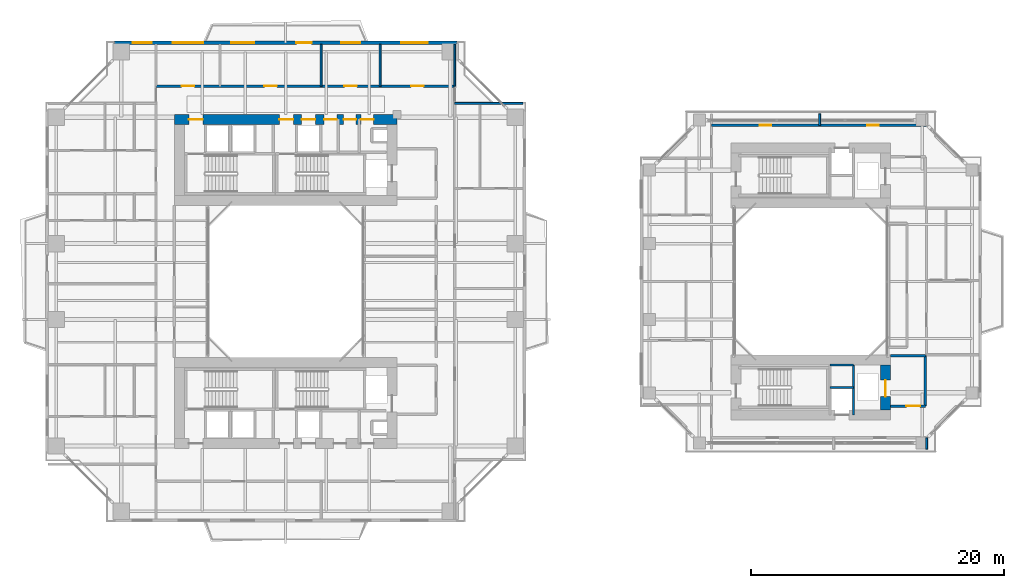
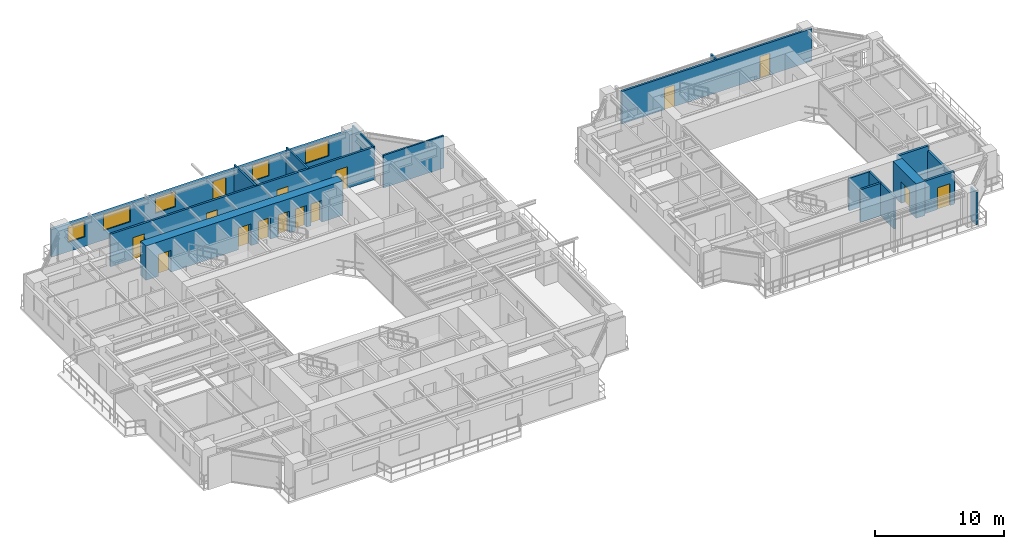
# One storey, part 17 of 23: 17 walls, 15 doors, 5 windows, 20 openings.
"""IFC4 building model written with IfcOpenShell, lengths in metres."""

from ifc_helpers import new_model, si_unit, direction, frame, frame_2d, origin, place, context, subcontext, project, spatial, rectangle, extrude, source, transform, mapped, material, layer, layer_set, type_object, element, fill, save


model = new_model("IFC4")

# Units and contexts
model_context = context("Model", 3, precision=1e-05, world=origin(), true_north=direction((0.0, 1.0)))
body_context = subcontext(model_context, "Body", "Model", "MODEL_VIEW")
ifc_project = project(units=[si_unit("LENGTHUNIT", "METRE"), si_unit("AREAUNIT", "SQUARE_METRE"), si_unit("VOLUMEUNIT", "CUBIC_METRE"), si_unit("PLANEANGLEUNIT", "RADIAN"), si_unit("MASSUNIT", "GRAM", prefix="KILO"), si_unit("THERMODYNAMICTEMPERATUREUNIT", "KELVIN"), si_unit("POWERUNIT", "WATT")], contexts=[model_context])

# Site, building, storey
site_placement = place(None, origin())
site = spatial("IfcSite", under=ifc_project, at=site_placement, CompositionType="ELEMENT")
building_placement = place(site_placement, origin())
building = spatial("IfcBuilding", under=site, at=building_placement, Name="Qiaomeng Ring Towers", CompositionType="ELEMENT")
storey_placement = place(building_placement, frame((0.0, 0.0, 60.0)))
storey = spatial("IfcBuildingStorey", under=building, at=storey_placement, Name="L16", CompositionType="ELEMENT", Elevation=60.0)

# Wall, openings, windows, door
ifc_material_1 = material(Name="Precast concrete C40", Category="concrete")
ifc_layer_1 = layer(ifc_material_1, 0.25, Name="Precast concrete C40")
ifc_layer_set_1 = layer_set([ifc_layer_1], Name="Precast concrete C40")
wall_type_1 = type_object("IfcWallType", Name="ARC-WL-EW1", PredefinedType="STANDARD", material=ifc_layer_set_1)
wall_1_placement = place(storey_placement, frame((5.449951171875, 41.875, 0.0), z_axis=(0.0, 0.0, 1.0), x_axis=(1.0, 0.0, 0.0)))
wall_1 = element("IfcWall", 1, at=wall_1_placement, inside=storey, type_object=wall_type_1, Name="L16 Tower 1 N Exterior Wall", PredefinedType="STANDARD", context=body_context, shape_type="SweptSolid", body=[
    extrude(rectangle(XDim=27.10009765625, YDim=0.25, at=frame_2d((13.550048828125, 0.0))), origin(), (0.0, 0.0, 1.0), 2.610107421875),
])
opening_1_placement = place(wall_1_placement, frame((14.39990234375, 0.0, 0.0)))
opening_1 = element("IfcOpeningElement", 2, at=opening_1_placement, cuts=wall_1, Name="Opening BD1", PredefinedType="OPENING", context=body_context, shape_type="SweptSolid", body=[
    extrude(rectangle(XDim=1.199951171875, YDim=2.10009765625, at=frame_2d((0.60009765625, 1.050048828125))), frame((0.0, 0.135009765625, 0.0), z_axis=(0.0, -1.0, 0.0), x_axis=(1.0, 0.0, 0.0)), (0.0, 0.0, 1.0), 0.27001953125),
])
opening_2_placement = place(wall_1_placement, frame((1.465087890625, 0.0, 0.89990234375)))
opening_2 = element("IfcOpeningElement", 3, at=opening_2_placement, cuts=wall_1, Name="Opening WN2", PredefinedType="OPENING", context=body_context, shape_type="SweptSolid", body=[
    extrude(rectangle(XDim=1.5, YDim=1.5, at=frame_2d((0.75, 0.75))), frame((0.0, 0.135009765625, 0.0), z_axis=(0.0, -1.0, 0.0), x_axis=(1.0, 0.0, 0.0)), (0.0, 0.0, 1.0), 0.27001953125),
])
opening_3_placement = place(wall_1_placement, frame((9.262939453125, 0.0, 0.89990234375)))
opening_3 = element("IfcOpeningElement", 4, at=opening_3_placement, cuts=wall_1, Name="Opening WN1", PredefinedType="OPENING", context=body_context, shape_type="SweptSolid", body=[
    extrude(rectangle(XDim=1.800048828125, YDim=1.449951171875, at=frame_2d((0.89990234375, 0.72509765625))), frame((0.0, 0.135009765625, 0.0), z_axis=(0.0, -1.0, 0.0), x_axis=(1.0, 0.0, 0.0)), (0.0, 0.0, 1.0), 0.27001953125),
])
opening_4_placement = place(wall_1_placement, frame((17.929931640625, 0.0, 0.89990234375)))
opening_4 = element("IfcOpeningElement", 5, at=opening_4_placement, cuts=wall_1, Name="Opening WN2", PredefinedType="OPENING", context=body_context, shape_type="SweptSolid", body=[
    extrude(rectangle(XDim=1.5, YDim=1.5, at=frame_2d((0.75, 0.75))), frame((0.0, 0.135009765625, 0.0), z_axis=(0.0, -1.0, 0.0), x_axis=(1.0, 0.0, 0.0)), (0.0, 0.0, 1.0), 0.27001953125),
])
opening_5_placement = place(wall_1_placement, frame((22.6630859375, 0.0, 0.89990234375)))
opening_5 = element("IfcOpeningElement", 6, at=opening_5_placement, cuts=wall_1, Name="Opening WN4", PredefinedType="OPENING", context=body_context, shape_type="SweptSolid", body=[
    extrude(rectangle(XDim=2.10009765625, YDim=1.47998046875, at=frame_2d((1.050048828125, 0.739990234375))), frame((0.0, 0.135009765625, 0.0), z_axis=(0.0, -1.0, 0.0), x_axis=(1.0, 0.0, 0.0)), (0.0, 0.0, 1.0), 0.27001953125),
])
opening_6_placement = place(wall_1_placement, frame((4.6298828125, 0.0, 0.89990234375)))
opening_6 = element("IfcOpeningElement", 7, at=opening_6_placement, cuts=wall_1, Name="Opening WN6", PredefinedType="OPENING", context=body_context, shape_type="SweptSolid", body=[
    extrude(rectangle(XDim=2.39990234375, YDim=1.5, at=frame_2d((1.199951171875, 0.75))), frame((0.0, 0.135009765625, 0.0), z_axis=(0.0, -1.0, 0.0), x_axis=(1.0, 0.0, 0.0)), (0.0, 0.0, 1.0), 0.27001953125),
])
ifc_material_2 = material(Name="Low-E dark-grey laminated double glazing", Category="glass")
window_type_1 = type_object("IfcWindowType", Name="ARC-WN-4", PartitioningType="TRIPLE_PANEL_VERTICAL", PredefinedType="WINDOW", material=ifc_material_2)
shared_shape_1 = source(origin(), body_context, "Body", "SweptSolid", [
    extrude(rectangle(XDim=2.10009765625, YDim=1.47998046875, at=frame_2d((1.050048828125, 0.739990234375))), frame((0.0, 0.030029296875, 0.0), z_axis=(0.0, -1.0, 0.0), x_axis=(1.0, 0.0, 0.0)), (0.0, 0.0, 1.0), 0.06005859375),
])
window_1_placement = place(opening_5_placement, origin())
window_1 = element("IfcWindow", 8, at=window_1_placement, inside=storey, type_object=window_type_1, Name="L16 Exterior Window WN4", OverallHeight=1.47998046875, OverallWidth=2.10009765625, PartitioningType="TRIPLE_PANEL_VERTICAL", PredefinedType="WINDOW", context=body_context, shape_type="MappedRepresentation", body=[
    mapped(shared_shape_1, transform((0.0, 0.0, 0.0), x_axis=(1.0, 0.0, 0.0), y_axis=(0.0, 1.0, 0.0), z_axis=(0.0, 0.0, 1.0), scale=1.0)),
])
fill(opening_5, window_1)
window_type_2 = type_object("IfcWindowType", Name="ARC-WN-1", PartitioningType="DOUBLE_PANEL_VERTICAL", PredefinedType="WINDOW", material=ifc_material_2)
shared_shape_2 = source(origin(), body_context, "Body", "SweptSolid", [
    extrude(rectangle(XDim=1.800048828125, YDim=1.449951171875, at=frame_2d((0.89990234375, 0.72509765625))), frame((0.0, 0.030029296875, 0.0), z_axis=(0.0, -1.0, 0.0), x_axis=(1.0, 0.0, 0.0)), (0.0, 0.0, 1.0), 0.06005859375),
])
window_2_placement = place(opening_3_placement, origin())
window_2 = element("IfcWindow", 9, at=window_2_placement, inside=storey, type_object=window_type_2, Name="L16 Exterior Window WN1", OverallHeight=1.449951171875, OverallWidth=1.800048828125, PartitioningType="DOUBLE_PANEL_VERTICAL", PredefinedType="WINDOW", context=body_context, shape_type="MappedRepresentation", body=[
    mapped(shared_shape_2, transform((0.0, 0.0, 0.0), x_axis=(1.0, 0.0, 0.0), y_axis=(0.0, 1.0, 0.0), z_axis=(0.0, 0.0, 1.0), scale=1.0)),
])
fill(opening_3, window_2)
door_type_1 = type_object("IfcDoorType", Name="ARC-DR-BD1", OperationType="NOTDEFINED", PredefinedType="DOOR", material=ifc_material_2)
shared_shape_3 = source(origin(), body_context, "Body", "SweptSolid", [
    extrude(rectangle(XDim=1.199951171875, YDim=2.10009765625, at=frame_2d((0.60009765625, 1.050048828125))), frame((0.0, 0.02490234375, 0.0), z_axis=(0.0, -1.0, 0.0), x_axis=(1.0, 0.0, 0.0)), (0.0, 0.0, 1.0), 0.050048828125),
])
door_1_placement = place(opening_1_placement, origin())
door_1 = element("IfcDoor", 10, at=door_1_placement, inside=storey, type_object=door_type_1, Name="L16 N Balcony Glazed Door", OperationType="SINGLE_SWING_LEFT", OverallHeight=2.10009765625, OverallWidth=1.199951171875, PredefinedType="DOOR", context=body_context, shape_type="MappedRepresentation", body=[
    mapped(shared_shape_3, transform((0.0, 0.0, 0.0), x_axis=(1.0, 0.0, 0.0), y_axis=(0.0, 1.0, 0.0), z_axis=(0.0, 0.0, 1.0), scale=1.0)),
])
fill(opening_1, door_1)
window_type_3 = type_object("IfcWindowType", Name="ARC-WN-2", PartitioningType="DOUBLE_PANEL_VERTICAL", PredefinedType="WINDOW", material=ifc_material_2)
shared_shape_4 = source(origin(), body_context, "Body", "SweptSolid", [
    extrude(rectangle(XDim=1.5, YDim=1.5, at=frame_2d((0.75, 0.75))), frame((0.0, 0.030029296875, 0.0), z_axis=(0.0, -1.0, 0.0), x_axis=(1.0, 0.0, 0.0)), (0.0, 0.0, 1.0), 0.06005859375),
])
window_3_placement = place(opening_2_placement, origin())
window_3 = element("IfcWindow", 11, at=window_3_placement, inside=storey, type_object=window_type_3, Name="L16 Exterior Window WN6", OverallHeight=1.5, OverallWidth=1.5, PartitioningType="TRIPLE_PANEL_VERTICAL", PredefinedType="WINDOW", context=body_context, shape_type="MappedRepresentation", body=[
    mapped(shared_shape_4, transform((0.0, 0.0, 0.0), x_axis=(1.0, 0.0, 0.0), y_axis=(0.0, 1.0, 0.0), z_axis=(0.0, 0.0, 1.0), scale=1.0)),
])
fill(opening_2, window_3)
window_4_placement = place(opening_4_placement, origin())
window_4 = element("IfcWindow", 12, at=window_4_placement, inside=storey, type_object=window_type_3, Name="L16 Exterior Window WN2", OverallHeight=1.5, OverallWidth=1.5, PartitioningType="DOUBLE_PANEL_VERTICAL", PredefinedType="WINDOW", context=body_context, shape_type="MappedRepresentation", body=[
    mapped(shared_shape_4, transform((0.0, 0.0, 0.0), x_axis=(1.0, 0.0, 0.0), y_axis=(0.0, 1.0, 0.0), z_axis=(0.0, 0.0, 1.0), scale=1.0)),
])
fill(opening_4, window_4)
window_type_4 = type_object("IfcWindowType", Name="ARC-WN-6", PartitioningType="TRIPLE_PANEL_VERTICAL", PredefinedType="WINDOW", material=ifc_material_2)
shared_shape_5 = source(origin(), body_context, "Body", "SweptSolid", [
    extrude(rectangle(XDim=2.39990234375, YDim=1.5, at=frame_2d((1.199951171875, 0.75))), frame((0.0, 0.030029296875, 0.0), z_axis=(0.0, -1.0, 0.0), x_axis=(1.0, 0.0, 0.0)), (0.0, 0.0, 1.0), 0.06005859375),
])
window_5_placement = place(opening_6_placement, origin())
window_5 = element("IfcWindow", 13, at=window_5_placement, inside=storey, type_object=window_type_4, Name="L16 Exterior Window WN6", OverallHeight=1.5, OverallWidth=2.39990234375, PartitioningType="TRIPLE_PANEL_VERTICAL", PredefinedType="WINDOW", context=body_context, shape_type="MappedRepresentation", body=[
    mapped(shared_shape_5, transform((0.0, 0.0, 0.0), x_axis=(1.0, 0.0, 0.0), y_axis=(0.0, 1.0, 0.0), z_axis=(0.0, 0.0, 1.0), scale=1.0)),
])
fill(opening_6, window_5)

# Walls
ifc_material_3 = material(Name="Autoclaved aerated concrete block", Category="concrete")
ifc_layer_2 = layer(ifc_material_3, 0.199951171875, Name="Autoclaved aerated concrete block")
ifc_layer_set_2 = layer_set([ifc_layer_2], Name="Autoclaved aerated concrete block")
wall_type_2 = type_object("IfcWallType", Name="ARC-WL-PW1", PredefinedType="PARTITIONING", material=ifc_layer_set_2)
wall_2_placement = place(storey_placement, frame((66.800048828125, 17.14990234375, 0.0), z_axis=(0.0, 0.0, 1.0), x_axis=(1.0, 0.0, 0.0)))
element("IfcWall", 14, at=wall_2_placement, inside=storey, type_object=wall_type_2, Name="L16 Interior Wall PW1", PredefinedType="PARTITIONING", context=body_context, shape_type="SweptSolid", body=[
    extrude(rectangle(XDim=2.75, YDim=0.199951171875, at=frame_2d((1.375, 0.0))), origin(), (0.0, 0.0, 1.0), 3.070068359375),
])
wall_3_placement = place(storey_placement, frame((69.550048828125, 13.14990234375, 0.0), z_axis=(0.0, 0.0, 1.0), x_axis=(0.0, 1.0, 0.0)))
element("IfcWall", 15, at=wall_3_placement, inside=storey, type_object=wall_type_2, Name="L16 Interior Wall PW1", PredefinedType="PARTITIONING", context=body_context, shape_type="SweptSolid", body=[
    extrude(rectangle(XDim=4.0, YDim=0.199951171875, at=frame_2d((2.0, 0.0))), origin(), (0.0, 0.0, 1.0), 2.614990234375),
])

# Wall, opening, door
wall_4_placement = place(storey_placement, frame((66.800048828125, 13.14990234375, 0.0), z_axis=(0.0, 0.0, 1.0), x_axis=(1.0, 0.0, 0.0)))
wall_4 = element("IfcWall", 16, at=wall_4_placement, inside=storey, type_object=wall_type_2, Name="L16 Interior Wall PW1", PredefinedType="PARTITIONING", context=body_context, shape_type="SweptSolid", body=[
    extrude(rectangle(XDim=2.75, YDim=0.199951171875, at=frame_2d((1.375, 0.0))), origin(), (0.0, 0.0, 1.0), 3.070068359375),
])
opening_7_placement = place(wall_4_placement, frame((1.25, 0.0, 0.0)))
opening_7 = element("IfcOpeningElement", 17, at=opening_7_placement, cuts=wall_4, Name="Opening FD3", PredefinedType="OPENING", context=body_context, shape_type="SweptSolid", body=[
    extrude(rectangle(XDim=1.10009765625, YDim=2.050048828125, at=frame_2d((0.550048828125, 1.02490234375))), frame((0.0, 0.10986328125, 0.0), z_axis=(0.0, -1.0, 0.0), x_axis=(1.0, 0.0, 0.0)), (0.0, 0.0, 1.0), 0.219970703125),
])
ifc_material_4 = material(Name="Galvanised steel", Category="steel")
door_type_2 = type_object("IfcDoorType", Name="ARC-DR-FD3", OperationType="NOTDEFINED", PredefinedType="DOOR", material=ifc_material_4)
shared_shape_6 = source(origin(), body_context, "Body", "SweptSolid", [
    extrude(rectangle(XDim=1.10009765625, YDim=2.050048828125, at=frame_2d((0.550048828125, 1.02490234375))), frame((0.0, 0.02490234375, 0.0), z_axis=(0.0, -1.0, 0.0), x_axis=(1.0, 0.0, 0.0)), (0.0, 0.0, 1.0), 0.050048828125),
])
door_2_placement = place(opening_7_placement, origin())
door_2 = element("IfcDoor", 18, at=door_2_placement, inside=storey, type_object=door_type_2, Name="L16 Door FD3", OperationType="SINGLE_SWING_LEFT", OverallHeight=2.050048828125, OverallWidth=1.10009765625, PredefinedType="DOOR", context=body_context, shape_type="MappedRepresentation", body=[
    mapped(shared_shape_6, transform((0.0, 0.0, 0.0), x_axis=(1.0, 0.0, 0.0), y_axis=(0.0, 1.0, 0.0), z_axis=(0.0, 0.0, 1.0), scale=1.0)),
])
fill(opening_7, door_2)

# Wall, openings, doors
ifc_layer_3 = layer(ifc_material_3, 0.179931640625, Name="Autoclaved aerated concrete block")
ifc_layer_set_3 = layer_set([ifc_layer_3], Name="Autoclaved aerated concrete block")
wall_type_3 = type_object("IfcWallType", Name="ARC-WL-PW2", PredefinedType="PARTITIONING", material=ifc_layer_set_3)
wall_5_placement = place(storey_placement, frame((8.75, 38.43994140625, 0.0), z_axis=(0.0, 0.0, 1.0), x_axis=(1.0, 0.0, 0.0)))
wall_5 = element("IfcWall", 19, at=wall_5_placement, inside=storey, type_object=wall_type_3, Name="L16 Interior Wall PW2", PredefinedType="PARTITIONING", context=body_context, shape_type="SweptSolid", body=[
    extrude(rectangle(XDim=23.610107421875, YDim=0.179931640625, at=frame_2d((11.80517578125, 0.0))), origin(), (0.0, 0.0, 1.0), 3.070068359375),
])
opening_8_placement = place(wall_5_placement, frame((2.030029296875, 0.0, 0.0)))
opening_8 = element("IfcOpeningElement", 20, at=opening_8_placement, cuts=wall_5, Name="Opening FD4", PredefinedType="OPENING", context=body_context, shape_type="SweptSolid", body=[
    extrude(rectangle(XDim=1.0, YDim=2.050048828125, at=frame_2d((0.5, 1.02490234375))), frame((0.0, 0.099853515625, 0.0), z_axis=(0.0, -1.0, 0.0), x_axis=(1.0, 0.0, 0.0)), (0.0, 0.0, 1.0), 0.199951171875),
])
opening_9_placement = place(wall_5_placement, frame((8.554931640625, 0.0, 0.0)))
opening_9 = element("IfcOpeningElement", 21, at=opening_9_placement, cuts=wall_5, Name="Opening FD4", PredefinedType="OPENING", context=body_context, shape_type="SweptSolid", body=[
    extrude(rectangle(XDim=1.0, YDim=2.050048828125, at=frame_2d((0.5, 1.02490234375))), frame((0.0, 0.099853515625, 0.0), z_axis=(0.0, -1.0, 0.0), x_axis=(1.0, 0.0, 0.0)), (0.0, 0.0, 1.0), 0.199951171875),
])
opening_10_placement = place(wall_5_placement, frame((14.8798828125, 0.0, 0.0)))
opening_10 = element("IfcOpeningElement", 22, at=opening_10_placement, cuts=wall_5, Name="Opening FD4", PredefinedType="OPENING", context=body_context, shape_type="SweptSolid", body=[
    extrude(rectangle(XDim=1.0, YDim=2.050048828125, at=frame_2d((0.5, 1.02490234375))), frame((0.0, 0.099853515625, 0.0), z_axis=(0.0, -1.0, 0.0), x_axis=(1.0, 0.0, 0.0)), (0.0, 0.0, 1.0), 0.199951171875),
])
opening_11_placement = place(wall_5_placement, frame((20.159912109375, 0.0, 0.0)))
opening_11 = element("IfcOpeningElement", 23, at=opening_11_placement, cuts=wall_5, Name="Opening FD4", PredefinedType="OPENING", context=body_context, shape_type="SweptSolid", body=[
    extrude(rectangle(XDim=1.0, YDim=2.050048828125, at=frame_2d((0.5, 1.02490234375))), frame((0.0, 0.099853515625, 0.0), z_axis=(0.0, -1.0, 0.0), x_axis=(1.0, 0.0, 0.0)), (0.0, 0.0, 1.0), 0.199951171875),
])
ifc_material_5 = material(Name="Engineered fire-rated oak timber", Category="wood")
door_type_3 = type_object("IfcDoorType", Name="ARC-DR-FD4", OperationType="NOTDEFINED", PredefinedType="DOOR", material=ifc_material_5)
shared_shape_7 = source(origin(), body_context, "Body", "SweptSolid", [
    extrude(rectangle(XDim=1.0, YDim=2.050048828125, at=frame_2d((0.5, 1.02490234375))), frame((0.0, 0.02490234375, 0.0), z_axis=(0.0, -1.0, 0.0), x_axis=(1.0, 0.0, 0.0)), (0.0, 0.0, 1.0), 0.050048828125),
])
door_3_placement = place(opening_8_placement, origin())
door_3 = element("IfcDoor", 24, at=door_3_placement, inside=storey, type_object=door_type_3, Name="L16 Door FD4", OperationType="SINGLE_SWING_LEFT", OverallHeight=2.050048828125, OverallWidth=1.0, PredefinedType="DOOR", context=body_context, shape_type="MappedRepresentation", body=[
    mapped(shared_shape_7, transform((0.0, 0.0, 0.0), x_axis=(1.0, 0.0, 0.0), y_axis=(0.0, 1.0, 0.0), z_axis=(0.0, 0.0, 1.0), scale=1.0)),
])
fill(opening_8, door_3)
door_4_placement = place(opening_9_placement, origin())
door_4 = element("IfcDoor", 25, at=door_4_placement, inside=storey, type_object=door_type_3, Name="L16 Door FD4", OperationType="SINGLE_SWING_RIGHT", OverallHeight=2.050048828125, OverallWidth=1.0, PredefinedType="DOOR", context=body_context, shape_type="MappedRepresentation", body=[
    mapped(shared_shape_7, transform((0.0, 0.0, 0.0), x_axis=(1.0, 0.0, 0.0), y_axis=(0.0, 1.0, 0.0), z_axis=(0.0, 0.0, 1.0), scale=1.0)),
])
fill(opening_9, door_4)
door_5_placement = place(opening_10_placement, origin())
door_5 = element("IfcDoor", 26, at=door_5_placement, inside=storey, type_object=door_type_3, Name="L16 Door FD4", OperationType="SINGLE_SWING_LEFT", OverallHeight=2.050048828125, OverallWidth=1.0, PredefinedType="DOOR", context=body_context, shape_type="MappedRepresentation", body=[
    mapped(shared_shape_7, transform((0.0, 0.0, 0.0), x_axis=(1.0, 0.0, 0.0), y_axis=(0.0, 1.0, 0.0), z_axis=(0.0, 0.0, 1.0), scale=1.0)),
])
fill(opening_10, door_5)
door_6_placement = place(opening_11_placement, origin())
door_6 = element("IfcDoor", 27, at=door_6_placement, inside=storey, type_object=door_type_3, Name="L16 Door FD4", OperationType="SINGLE_SWING_RIGHT", OverallHeight=2.050048828125, OverallWidth=1.0, PredefinedType="DOOR", context=body_context, shape_type="MappedRepresentation", body=[
    mapped(shared_shape_7, transform((0.0, 0.0, 0.0), x_axis=(1.0, 0.0, 0.0), y_axis=(0.0, 1.0, 0.0), z_axis=(0.0, 0.0, 1.0), scale=1.0)),
])
fill(opening_11, door_6)

wall_6_placement = place(storey_placement, frame((52.64990234375, 35.35009765625, 0.0), z_axis=(0.0, 0.0, 1.0), x_axis=(1.0, 0.0, 0.0)))
wall_6 = element("IfcWall", 28, at=wall_6_placement, inside=storey, type_object=wall_type_3, Name="L16 Interior Wall PW2", PredefinedType="PARTITIONING", context=body_context, shape_type="SweptSolid", body=[
    extrude(rectangle(XDim=17.0, YDim=0.179931640625, at=frame_2d((8.5, 0.0))), origin(), (0.0, 0.0, 1.0), 3.070068359375),
])
opening_12_placement = place(wall_6_placement, frame((3.824951171875, 0.0, 0.0)))
opening_12 = element("IfcOpeningElement", 29, at=opening_12_placement, cuts=wall_6, Name="Opening ID1", PredefinedType="OPENING", context=body_context, shape_type="SweptSolid", body=[
    extrude(rectangle(XDim=0.89990234375, YDim=2.050048828125, at=frame_2d((0.449951171875, 1.02490234375))), frame((0.0, 0.099853515625, 0.0), z_axis=(0.0, -1.0, 0.0), x_axis=(1.0, 0.0, 0.0)), (0.0, 0.0, 1.0), 0.199951171875),
])
opening_13_placement = place(wall_6_placement, frame((12.324951171875, 0.0, 0.0)))
opening_13 = element("IfcOpeningElement", 30, at=opening_13_placement, cuts=wall_6, Name="Opening ID1", PredefinedType="OPENING", context=body_context, shape_type="SweptSolid", body=[
    extrude(rectangle(XDim=0.89990234375, YDim=2.050048828125, at=frame_2d((0.449951171875, 1.02490234375))), frame((0.0, 0.099853515625, 0.0), z_axis=(0.0, -1.0, 0.0), x_axis=(1.0, 0.0, 0.0)), (0.0, 0.0, 1.0), 0.199951171875),
])
ifc_material_6 = material(Name="Engineered oak timber", Category="wood")
door_type_4 = type_object("IfcDoorType", Name="ARC-DR-ID1", OperationType="NOTDEFINED", PredefinedType="DOOR", material=ifc_material_6)
shared_shape_8 = source(origin(), body_context, "Body", "SweptSolid", [
    extrude(rectangle(XDim=0.89990234375, YDim=2.050048828125, at=frame_2d((0.449951171875, 1.02490234375))), frame((0.0, 0.02490234375, 0.0), z_axis=(0.0, -1.0, 0.0), x_axis=(1.0, 0.0, 0.0)), (0.0, 0.0, 1.0), 0.050048828125),
])
door_7_placement = place(opening_12_placement, origin())
door_7 = element("IfcDoor", 31, at=door_7_placement, inside=storey, type_object=door_type_4, Name="L16 Door ID1", OperationType="SINGLE_SWING_LEFT", OverallHeight=2.050048828125, OverallWidth=0.89990234375, PredefinedType="DOOR", context=body_context, shape_type="MappedRepresentation", body=[
    mapped(shared_shape_8, transform((0.0, 0.0, 0.0), x_axis=(1.0, 0.0, 0.0), y_axis=(0.0, 1.0, 0.0), z_axis=(0.0, 0.0, 1.0), scale=1.0)),
])
fill(opening_12, door_7)
door_8_placement = place(opening_13_placement, origin())
door_8 = element("IfcDoor", 32, at=door_8_placement, inside=storey, type_object=door_type_4, Name="L16 Door ID1", OperationType="SINGLE_SWING_RIGHT", OverallHeight=2.050048828125, OverallWidth=0.89990234375, PredefinedType="DOOR", context=body_context, shape_type="MappedRepresentation", body=[
    mapped(shared_shape_8, transform((0.0, 0.0, 0.0), x_axis=(1.0, 0.0, 0.0), y_axis=(0.0, 1.0, 0.0), z_axis=(0.0, 0.0, 1.0), scale=1.0)),
])
fill(opening_13, door_8)

# Walls
ifc_material_7 = material(Name="Gypsum fireboard steel-stud partition", Category="steel")
ifc_layer_4 = layer(ifc_material_7, 0.14990234375, Name="Gypsum fireboard steel-stud partition")
ifc_layer_set_4 = layer_set([ifc_layer_4], Name="Gypsum fireboard steel-stud partition")
wall_type_4 = type_object("IfcWallType", Name="ARC-WL-PW3", PredefinedType="PARTITIONING", material=ifc_layer_set_4)
for number, where, z_axis, x_axis, name in (
    (33, (21.800048828125, 38.43994140625, 0.0), (0.0, 0.0, 1.0), (0.0, 1.0, 0.0), "L16 Interior Wall PW3"),
    (34, (26.4599609375, 38.43994140625, 0.0), (0.0, 0.0, 1.0), (0.0, 1.0, 0.0), "L16 Interior Wall PW3"),
    (35, (32.360107421875, 38.43994140625, 0.0), (0.0, 0.0, 1.0), (0.0, 1.0, 0.0), "L16 Interior Wall PW3"),
):
    element("IfcWall", number, at=place(storey_placement, frame(where, z_axis=z_axis, x_axis=x_axis)), inside=storey, type_object=wall_type_4, Name=name, PredefinedType="PARTITIONING", context=body_context, shape_type="SweptSolid", body=[
        extrude(rectangle(XDim=3.31005859375, YDim=0.14990234375, at=frame_2d((1.655029296875, 0.0))), origin(), (0.0, 0.0, 1.0), 3.070068359375),
    ])
wall_7_placement = place(storey_placement, frame((32.360107421875, 37.080078125, 0.0), z_axis=(0.0, 0.0, 1.0), x_axis=(1.0, 0.0, 0.0)))
element("IfcWall", 36, at=wall_7_placement, inside=storey, type_object=wall_type_4, Name="L16 Interior Wall PW3", PredefinedType="PARTITIONING", context=body_context, shape_type="SweptSolid", body=[
    extrude(rectangle(XDim=5.389892578125, YDim=0.14990234375, at=frame_2d((2.69482421875, 0.0))), origin(), (0.0, 0.0, 1.0), 3.070068359375),
])
for number, where, z_axis, x_axis, name in (
    (37, (61.199951171875, 35.35009765625, 0.0), (0.0, 0.0, 1.0), (0.0, 1.0, 0.0), "L16 Interior Wall PW3"),
    (38, (69.64990234375, 9.75, 0.0), (0.0, 0.0, 1.0), (0.0, 1.0, 0.0), "L16 Interior Wall PW3"),
):
    element("IfcWall", number, at=place(storey_placement, frame(where, z_axis=z_axis, x_axis=x_axis)), inside=storey, type_object=wall_type_4, Name=name, PredefinedType="PARTITIONING", context=body_context, shape_type="SweptSolid", body=[
        extrude(rectangle(XDim=0.89990234375, YDim=0.14990234375, at=frame_2d((0.449951171875, 0.0))), origin(), (0.0, 0.0, 1.0), 3.070068359375),
    ])
ifc_material_8 = material(Name="Concrete C40", Category="concrete")
ifc_layer_5 = layer(ifc_material_8, 0.199951171875, Name="Concrete C40")
ifc_layer_set_5 = layer_set([ifc_layer_5], Name="Concrete C40")
wall_type_5 = type_object("IfcWallType", Name="STR-WL-STSHAFT", PredefinedType="SHEAR", material=ifc_layer_set_5)
wall_8_placement = place(storey_placement, frame((63.8798828125, 12.449951171875, 0.0), z_axis=(0.0, 0.0, 1.0), x_axis=(0.0, 1.0, 0.0)))
element("IfcWall", 39, at=wall_8_placement, inside=storey, type_object=wall_type_5, Name="L16 Companion Lift Shaft East Wall S", PredefinedType="SHEAR", context=body_context, shape_type="SweptSolid", body=[
    extrude(rectangle(XDim=3.949951171875, YDim=0.179931640625, at=frame_2d((1.97509765625, 0.0))), origin(), (0.0, 0.0, 1.0), 3.070068359375),
])
for number, where, z_axis, x_axis, name in (
    (40, (62.02001953125, 14.6201171875, 0.0), (0.0, 0.0, 1.0), (1.0, 0.0, 0.0), "L16 Companion Lift Shaft Divider Wall S"),
    (41, (62.02001953125, 16.39990234375, 0.0), (0.0, 0.0, 1.0), (1.0, 0.0, 0.0), "L16 Companion Riser Shaft Back Wall S"),
):
    element("IfcWall", number, at=place(storey_placement, frame(where, z_axis=z_axis, x_axis=x_axis)), inside=storey, type_object=wall_type_5, Name=name, PredefinedType="SHEAR", context=body_context, shape_type="SweptSolid", body=[
        extrude(rectangle(XDim=1.85986328125, YDim=0.179931640625, at=frame_2d((0.929931640625, 0.0))), origin(), (0.0, 0.0, 1.0), 3.070068359375),
    ])

# Wall, openings, doors
ifc_material_9 = material(Name="Concrete C60", Category="concrete")
ifc_layer_6 = layer(ifc_material_9, 0.800048828125, Name="Concrete C60")
ifc_layer_set_6 = layer_set([ifc_layer_6], Name="Concrete C60")
wall_type_6 = type_object("IfcWallType", Name="STR-WL-SW1", PredefinedType="SHEAR", material=ifc_layer_set_6)
wall_9_placement = place(storey_placement, frame((10.199951171875, 35.800048828125, 0.0), z_axis=(0.0, 0.0, 1.0), x_axis=(1.0, 0.0, 0.0)))
wall_9 = element("IfcWall", 42, at=wall_9_placement, inside=storey, type_object=wall_type_6, Name="L16 T1NC north core shear wall", PredefinedType="SHEAR", context=body_context, shape_type="SweptSolid", body=[
    extrude(rectangle(XDim=17.60009765625, YDim=0.800048828125, at=frame_2d((8.800048828125, 0.0))), origin(), (0.0, 0.0, 1.0), 3.25),
])
opening_14_placement = place(wall_9_placement, frame((1.14990234375, 0.0, 0.0)))
opening_14 = element("IfcOpeningElement", 43, at=opening_14_placement, cuts=wall_9, Name="Opening FD3", PredefinedType="OPENING", context=body_context, shape_type="SweptSolid", body=[
    extrude(rectangle(XDim=1.10009765625, YDim=2.050048828125, at=frame_2d((0.550048828125, 1.02490234375))), frame((0.0, 0.409912109375, 0.0), z_axis=(0.0, -1.0, 0.0), x_axis=(1.0, 0.0, 0.0)), (0.0, 0.0, 1.0), 0.820068359375),
])
opening_15_placement = place(wall_9_placement, frame((8.300048828125, 0.0, 0.0)))
opening_15 = element("IfcOpeningElement", 44, at=opening_15_placement, cuts=wall_9, Name="Opening FD3", PredefinedType="OPENING", context=body_context, shape_type="SweptSolid", body=[
    extrude(rectangle(XDim=1.10009765625, YDim=2.050048828125, at=frame_2d((0.550048828125, 1.02490234375))), frame((0.0, 0.409912109375, 0.0), z_axis=(0.0, -1.0, 0.0), x_axis=(1.0, 0.0, 0.0)), (0.0, 0.0, 1.0), 0.820068359375),
])
opening_16_placement = place(wall_9_placement, frame((10.050048828125, 0.0, 0.0)))
opening_16 = element("IfcOpeningElement", 45, at=opening_16_placement, cuts=wall_9, Name="Opening LD1", PredefinedType="OPENING", context=body_context, shape_type="SweptSolid", body=[
    extrude(rectangle(XDim=1.10009765625, YDim=2.050048828125, at=frame_2d((0.550048828125, 1.02490234375))), frame((0.0, 0.409912109375, 0.0), z_axis=(0.0, -1.0, 0.0), x_axis=(1.0, 0.0, 0.0)), (0.0, 0.0, 1.0), 0.820068359375),
])
opening_17_placement = place(wall_9_placement, frame((14.739990234375, 0.0, 0.0)))
opening_17 = element("IfcOpeningElement", 46, at=opening_17_placement, cuts=wall_9, Name="Opening FD1", PredefinedType="OPENING", context=body_context, shape_type="SweptSolid", body=[
    extrude(rectangle(XDim=1.0, YDim=2.050048828125, at=frame_2d((0.5, 1.02490234375))), frame((0.0, 0.409912109375, 0.0), z_axis=(0.0, -1.0, 0.0), x_axis=(1.0, 0.0, 0.0)), (0.0, 0.0, 1.0), 0.820068359375),
])
opening_18_placement = place(wall_9_placement, frame((11.8349609375, 0.0, 0.0)))
opening_18 = element("IfcOpeningElement", 47, at=opening_18_placement, cuts=wall_9, Name="Opening FD1", PredefinedType="OPENING", context=body_context, shape_type="SweptSolid", body=[
    extrude(rectangle(XDim=1.0, YDim=2.050048828125, at=frame_2d((0.5, 1.02490234375))), frame((0.0, 0.409912109375, 0.0), z_axis=(0.0, -1.0, 0.0), x_axis=(1.0, 0.0, 0.0)), (0.0, 0.0, 1.0), 0.820068359375),
])
opening_19_placement = place(wall_9_placement, frame((13.3701171875, 0.0, 0.0)))
opening_19 = element("IfcOpeningElement", 48, at=opening_19_placement, cuts=wall_9, Name="Opening FD1", PredefinedType="OPENING", context=body_context, shape_type="SweptSolid", body=[
    extrude(rectangle(XDim=1.0, YDim=2.050048828125, at=frame_2d((0.5, 1.02490234375))), frame((0.0, 0.409912109375, 0.0), z_axis=(0.0, -1.0, 0.0), x_axis=(1.0, 0.0, 0.0)), (0.0, 0.0, 1.0), 0.820068359375),
])
door_9_placement = place(opening_14_placement, origin())
door_9 = element("IfcDoor", 49, at=door_9_placement, inside=storey, type_object=door_type_2, Name="L16 Stair ST1 Lobby Door", OperationType="SINGLE_SWING_RIGHT", OverallHeight=2.050048828125, OverallWidth=1.10009765625, PredefinedType="DOOR", context=body_context, shape_type="MappedRepresentation", body=[
    mapped(shared_shape_6, transform((0.0, 0.0, 0.0), x_axis=(1.0, 0.0, 0.0), y_axis=(0.0, 1.0, 0.0), z_axis=(0.0, 0.0, 1.0), scale=1.0)),
])
fill(opening_14, door_9)
door_10_placement = place(opening_15_placement, origin())
door_10 = element("IfcDoor", 50, at=door_10_placement, inside=storey, type_object=door_type_2, Name="L16 Stair ST2 Lobby Door", OperationType="SINGLE_SWING_RIGHT", OverallHeight=2.050048828125, OverallWidth=1.10009765625, PredefinedType="DOOR", context=body_context, shape_type="MappedRepresentation", body=[
    mapped(shared_shape_6, transform((0.0, 0.0, 0.0), x_axis=(1.0, 0.0, 0.0), y_axis=(0.0, 1.0, 0.0), z_axis=(0.0, 0.0, 1.0), scale=1.0)),
])
fill(opening_15, door_10)
ifc_material_10 = material(Name="Stainless steel 316", Category="steel")
door_type_5 = type_object("IfcDoorType", Name="ARC-DR-LD1", OperationType="NOTDEFINED", PredefinedType="DOOR", material=ifc_material_10)
door_11_placement = place(opening_16_placement, origin())
door_11 = element("IfcDoor", 51, at=door_11_placement, inside=storey, type_object=door_type_5, Name="L16 Low-Zone Lift LP1 Landing Door", OperationType="SLIDING_TO_LEFT", OverallHeight=2.050048828125, OverallWidth=1.10009765625, PredefinedType="DOOR", context=body_context, shape_type="MappedRepresentation", body=[
    mapped(shared_shape_6, transform((0.0, 0.0, 0.0), x_axis=(1.0, 0.0, 0.0), y_axis=(0.0, 1.0, 0.0), z_axis=(0.0, 0.0, 1.0), scale=1.0)),
])
fill(opening_16, door_11)
door_type_6 = type_object("IfcDoorType", Name="ARC-DR-FD1", OperationType="NOTDEFINED", PredefinedType="DOOR", material=ifc_material_4)
door_12_placement = place(opening_17_placement, origin())
door_12 = element("IfcDoor", 52, at=door_12_placement, inside=storey, type_object=door_type_6, Name="L16 North Electrical Riser Door", OperationType="SINGLE_SWING_RIGHT", OverallHeight=2.050048828125, OverallWidth=1.0, PredefinedType="DOOR", context=body_context, shape_type="MappedRepresentation", body=[
    mapped(shared_shape_7, transform((0.0, 0.0, 0.0), x_axis=(1.0, 0.0, 0.0), y_axis=(0.0, 1.0, 0.0), z_axis=(0.0, 0.0, 1.0), scale=1.0)),
])
fill(opening_17, door_12)
door_13_placement = place(opening_18_placement, origin())
door_13 = element("IfcDoor", 53, at=door_13_placement, inside=storey, type_object=door_type_6, Name="L16 North Cleaners Store Door", OperationType="SINGLE_SWING_RIGHT", OverallHeight=2.050048828125, OverallWidth=1.0, PredefinedType="DOOR", context=body_context, shape_type="MappedRepresentation", body=[
    mapped(shared_shape_7, transform((0.0, 0.0, 0.0), x_axis=(1.0, 0.0, 0.0), y_axis=(0.0, 1.0, 0.0), z_axis=(0.0, 0.0, 1.0), scale=1.0)),
])
fill(opening_18, door_13)
door_14_placement = place(opening_19_placement, origin())
door_14 = element("IfcDoor", 54, at=door_14_placement, inside=storey, type_object=door_type_6, Name="L16 North Beverage Pantry Door", OperationType="SINGLE_SWING_LEFT", OverallHeight=2.050048828125, OverallWidth=1.0, PredefinedType="DOOR", context=body_context, shape_type="MappedRepresentation", body=[
    mapped(shared_shape_7, transform((0.0, 0.0, 0.0), x_axis=(1.0, 0.0, 0.0), y_axis=(0.0, 1.0, 0.0), z_axis=(0.0, 0.0, 1.0), scale=1.0)),
])
fill(opening_19, door_14)

# Wall, opening, door
wall_10_placement = place(storey_placement, frame((66.39990234375, 12.85009765625, 0.0), z_axis=(0.0, 0.0, 1.0), x_axis=(0.0, 1.0, 0.0)))
wall_10 = element("IfcWall", 55, at=wall_10_placement, inside=storey, type_object=wall_type_6, Name="L16 T2SC east core shear wall", PredefinedType="SHEAR", context=body_context, shape_type="SweptSolid", body=[
    extrude(rectangle(XDim=3.5498046875, YDim=0.800048828125, at=frame_2d((1.77490234375, 0.0))), origin(), (0.0, 0.0, 1.0), 3.25),
])
opening_20_placement = place(wall_10_placement, frame((1.050048828125, 0.0, 0.0)))
opening_20 = element("IfcOpeningElement", 56, at=opening_20_placement, cuts=wall_10, Name="Opening LD2", PredefinedType="OPENING", context=body_context, shape_type="SweptSolid", body=[
    extrude(rectangle(XDim=1.300048828125, YDim=2.050048828125, at=frame_2d((0.64990234375, 1.02490234375))), frame((0.0, 0.409912109375, 0.0), z_axis=(0.0, -1.0, 0.0), x_axis=(1.0, 0.0, 0.0)), (0.0, 0.0, 1.0), 0.820068359375),
])
door_type_7 = type_object("IfcDoorType", Name="ARC-DR-LD2", OperationType="NOTDEFINED", PredefinedType="DOOR", material=ifc_material_10)
shared_shape_9 = source(origin(), body_context, "Body", "SweptSolid", [
    extrude(rectangle(XDim=1.300048828125, YDim=2.050048828125, at=frame_2d((0.64990234375, 1.02490234375))), frame((0.0, 0.02490234375, 0.0), z_axis=(0.0, -1.0, 0.0), x_axis=(1.0, 0.0, 0.0)), (0.0, 0.0, 1.0), 0.050048828125),
])
door_15_placement = place(opening_20_placement, origin())
door_15 = element("IfcDoor", 57, at=door_15_placement, inside=storey, type_object=door_type_7, Name="L16 Firefighting Lift FL4 Landing Door", OperationType="SLIDING_TO_RIGHT", OverallHeight=2.050048828125, OverallWidth=1.300048828125, PredefinedType="DOOR", context=body_context, shape_type="MappedRepresentation", body=[
    mapped(shared_shape_9, transform((0.0, 0.0, 0.0), x_axis=(1.0, 0.0, 0.0), y_axis=(0.0, 1.0, 0.0), z_axis=(0.0, 0.0, 1.0), scale=1.0)),
])
fill(opening_20, door_15)

save(model, "model.ifc")
